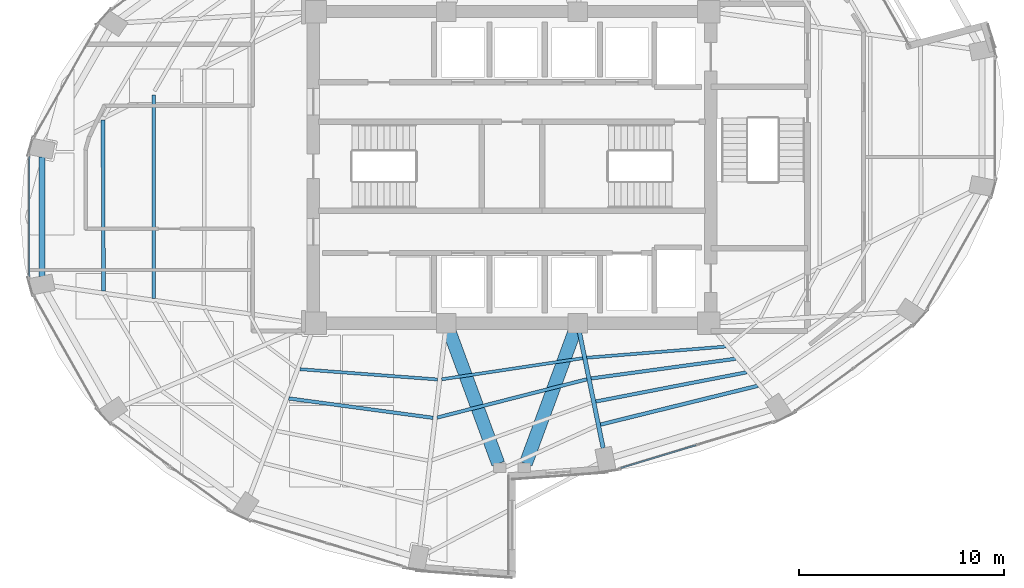
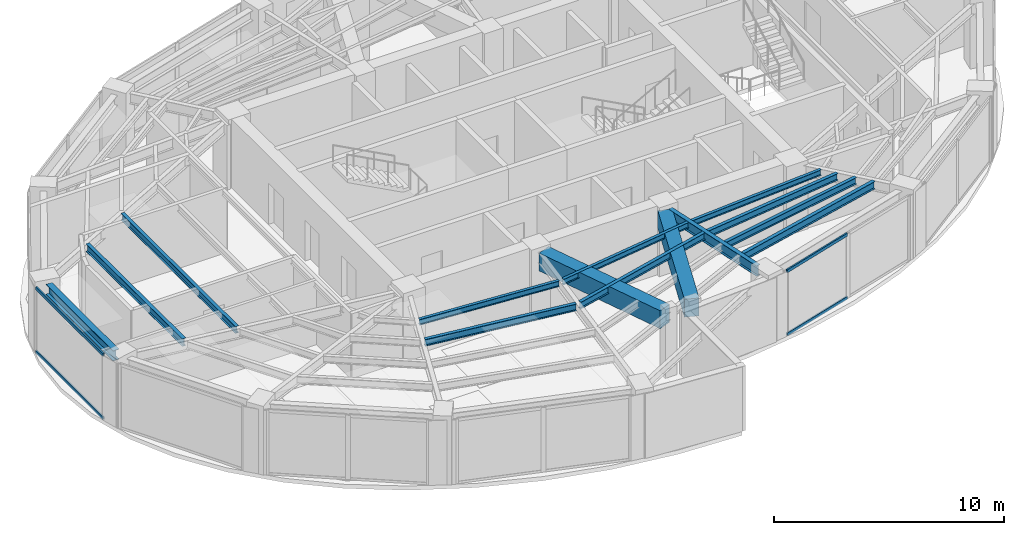
# One storey, part 5 of 19: 14 beams, 4 members, 2 elements without a shape of their own.
"""IFC4 building model written with IfcOpenShell, lengths in metres."""

from ifc_helpers import new_model, si_unit, direction, frame, origin, origin_2d, place, context, subcontext, project, spatial, rectangle, hollow_rectangle, i_section, extrude, material, layer, layer_set, material_profile, profile_set, type_object, element, aggregate, save


model = new_model("IFC4")

# Units and contexts
model_context = context("Model", 3, precision=1e-05, world=origin(), true_north=direction((0.0, 1.0)))
body_context = subcontext(model_context, "Body", "Model", "MODEL_VIEW")
ifc_project = project(units=[si_unit("LENGTHUNIT", "METRE"), si_unit("AREAUNIT", "SQUARE_METRE"), si_unit("VOLUMEUNIT", "CUBIC_METRE"), si_unit("PLANEANGLEUNIT", "RADIAN"), si_unit("MASSUNIT", "GRAM", prefix="KILO")], contexts=[model_context])

# Site, building, storey
site_placement = place(None, origin())
site = spatial("IfcSite", under=ifc_project, at=site_placement, CompositionType="ELEMENT")
building_placement = place(site_placement, origin())
building = spatial("IfcBuilding", under=site, at=building_placement, Name="Lazwardi Medical Tower", CompositionType="ELEMENT")
storey_placement = place(building_placement, frame((0.0, 0.0, 171.1201171875)))
storey = spatial("IfcBuildingStorey", under=building, at=storey_placement, Name="L44", CompositionType="ELEMENT", Elevation=171.1201171875)

# Beams
ifc_material_1 = material(Name="Concrete C60/75", Category="concrete")
ifc_material_profile_1 = material_profile(ifc_material_1, rectangle(XDim=0.64990234375, YDim=0.949951171875, at=origin_2d()), Name="RC 650x950")
ifc_profile_set_1 = profile_set([ifc_material_profile_1], Name="Concrete C60/75")
beam_type_1 = type_object("IfcBeamType", Name="BM-CB-RC2", PredefinedType="LINTEL", material=ifc_profile_set_1)
for number, where, z_axis, x_axis, name in (
    (1, (32.959228515625, 19.968505859375, 2.952880859375), (0.34601281054, -0.938229787921, 0.0), (0.938229787921, 0.34601281054, 0.0), "Core coupling lintel CB-02 PL3 L44"),
    (2, (39.040771484375, 19.968505859375, 2.952880859375), (-0.34601281054, -0.938229787921, 0.0), (0.938229787921, -0.34601281054, 0.0), "Core coupling lintel CB-02 PL4 L44"),
):
    element("IfcBeam", number, at=place(storey_placement, frame(where, z_axis=z_axis, x_axis=x_axis)), inside=storey, type_object=beam_type_1, Name=name, PredefinedType="LINTEL", context=body_context, shape_type="SweptSolid", body=[
        extrude(rectangle(XDim=0.64990234375, YDim=0.949951171875, at=origin_2d()), origin(), (0.0, 0.0, 1.0), 6.84423828125),
    ])
ifc_material_2 = material(Name="Steel S355", Category="steel")
ifc_material_profile_2 = material_profile(ifc_material_2, i_section(OverallWidth=0.300048828125, OverallDepth=0.550048828125, WebThickness=0.014892578125, FlangeThickness=0.029052734375, at=origin_2d()), Name="HEB 550")
ifc_profile_set_2 = profile_set([ifc_material_profile_2], Name="Steel S355")
beam_type_2 = type_object("IfcBeamType", Name="BM-RB-Z3", PredefinedType="BEAM", material=ifc_profile_set_2)
beam_1_placement = place(storey_placement, frame((13.07421875, 28.51171875, 3.15283203125), z_axis=(0.0, -1.0, 0.0), x_axis=(1.0, 0.0, 0.0)))
element("IfcBeam", 3, at=beam_1_placement, inside=storey, type_object=beam_type_2, Name="Ring beam RB-04 B12 L44", PredefinedType="BEAM", context=body_context, shape_type="SweptSolid", body=[
    extrude(i_section(OverallWidth=0.300048828125, OverallDepth=0.550048828125, WebThickness=0.014892578125, FlangeThickness=0.029052734375, at=origin_2d()), origin(), (0.0, 0.0, 1.0), 5.823486328125),
])
ifc_material_profile_3 = material_profile(ifc_material_2, i_section(OverallWidth=0.2099609375, OverallDepth=0.550048828125, WebThickness=0.010986328125, FlangeThickness=0.01708984375, at=origin_2d()), Name="IPE 550")
ifc_profile_set_3 = profile_set([ifc_material_profile_3], Name="Steel S355")
beam_type_3 = type_object("IfcBeamType", Name="BM-RG-W2", PredefinedType="BEAM", material=ifc_profile_set_3)
beam_2_placement = place(storey_placement, frame((40.447998046875, 14.2998046875, 3.15283203125), z_axis=(-0.200429485343, 0.979708130723, 0.0), x_axis=(-0.979708130723, -0.200429485343, 0.0)))
element("IfcBeam", 4, at=beam_2_placement, inside=storey, type_object=beam_type_3, Name="Radial girder RG-03 R01 L44", PredefinedType="BEAM", context=body_context, shape_type="SweptSolid", body=[
    extrude(i_section(OverallWidth=0.2099609375, OverallDepth=0.550048828125, WebThickness=0.010986328125, FlangeThickness=0.01708984375, at=origin_2d()), origin(), (0.0, 0.0, 1.0), 5.766357421875),
])
ifc_material_profile_4 = material_profile(ifc_material_2, i_section(OverallWidth=0.179931640625, OverallDepth=0.39990234375, WebThickness=0.008544921875, FlangeThickness=0.013427734375, at=origin_2d()), Name="IPE 400")
ifc_profile_set_4 = profile_set([ifc_material_profile_4], Name="Steel S355")
beam_type_4 = type_object("IfcBeamType", Name="BM-SJ-01", PredefinedType="JOIST", material=ifc_profile_set_4)
beam_3_placement = place(storey_placement, frame((40.31396484375, 15.45361328125, 3.227783203125), z_axis=(0.970912648168, 0.239433977597, 0.0), x_axis=(-0.239433977597, 0.970912648168, 0.0)))
element("IfcBeam", 5, at=beam_3_placement, inside=storey, type_object=beam_type_4, Name="Secondary joist SJ-01 R1 B01 L44", PredefinedType="JOIST", context=body_context, shape_type="SweptSolid", body=[
    extrude(i_section(OverallWidth=0.179931640625, OverallDepth=0.39990234375, WebThickness=0.008544921875, FlangeThickness=0.013427734375, at=origin_2d()), origin(), (0.0, 0.0, 1.0), 7.91162109375),
])
beam_4_placement = place(storey_placement, frame((16.04443359375, 30.30224609375, 3.227783203125), z_axis=(0.003864366017, -0.99999253331, 0.0), x_axis=(0.99999253331, 0.003864366017, 0.0)))
element("IfcBeam", 6, at=beam_4_placement, inside=storey, type_object=beam_type_4, Name="Secondary joist SJ-01 R1 B12 L44", PredefinedType="JOIST", context=body_context, shape_type="SweptSolid", body=[
    extrude(i_section(OverallWidth=0.179931640625, OverallDepth=0.39990234375, WebThickness=0.008544921875, FlangeThickness=0.013427734375, at=origin_2d()), origin(), (0.0, 0.0, 1.0), 8.33935546875),
])
ifc_material_profile_5 = material_profile(ifc_material_2, i_section(OverallWidth=0.169921875, OverallDepth=0.360107421875, WebThickness=0.008056640625, FlangeThickness=0.0126953125, at=origin_2d()), Name="IPE 360")
ifc_profile_set_5 = profile_set([ifc_material_profile_5], Name="Steel S355")
beam_type_5 = type_object("IfcBeamType", Name="BM-SJ-02", PredefinedType="JOIST", material=ifc_profile_set_5)
beam_5_placement = place(storey_placement, frame((40.083984375, 16.57861328125, 3.247802734375), z_axis=(0.981753035865, 0.190160396953, 0.0), x_axis=(-0.190160396953, 0.981753035865, 0.0)))
element("IfcBeam", 7, at=beam_5_placement, inside=storey, type_object=beam_type_5, Name="Secondary joist SJ-02 R2 B01 L44", PredefinedType="JOIST", context=body_context, shape_type="SweptSolid", body=[
    extrude(i_section(OverallWidth=0.169921875, OverallDepth=0.360107421875, WebThickness=0.008056640625, FlangeThickness=0.0126953125, at=origin_2d()), origin(), (0.0, 0.0, 1.0), 7.50927734375),
])
beam_6_placement = place(storey_placement, frame((18.513671875, 31.541748046875, 3.247802734375), z_axis=(0.001156040156, -0.999999331785, 0.0), x_axis=(0.999999331785, 0.001156040156, 0.0)))
element("IfcBeam", 8, at=beam_6_placement, inside=storey, type_object=beam_type_5, Name="Secondary joist SJ-02 R2 B12 L44", PredefinedType="JOIST", context=body_context, shape_type="SweptSolid", body=[
    extrude(i_section(OverallWidth=0.169921875, OverallDepth=0.360107421875, WebThickness=0.008056640625, FlangeThickness=0.0126953125, at=origin_2d()), origin(), (0.0, 0.0, 1.0), 9.92578125),
])
beam_7_placement = place(storey_placement, frame((39.853515625, 17.702880859375, 3.247802734375), z_axis=(0.990832043476, 0.135099450852, 0.0), x_axis=(-0.135099450852, 0.990832043476, 0.0)))
element("IfcBeam", 9, at=beam_7_placement, inside=storey, type_object=beam_type_5, Name="Secondary joist SJ-02 R3 B01 L44", PredefinedType="JOIST", context=body_context, shape_type="SweptSolid", body=[
    extrude(i_section(OverallWidth=0.169921875, OverallDepth=0.360107421875, WebThickness=0.008056640625, FlangeThickness=0.0126953125, at=origin_2d()), origin(), (0.0, 0.0, 1.0), 7.129150390625),
])
beam_8_placement = place(storey_placement, frame((25.110107421875, 16.730224609375, 3.247802734375), z_axis=(0.991056291961, -0.133444468468, 0.0), x_axis=(0.133444468468, 0.991056291961, 0.0)))
element("IfcBeam", 10, at=beam_8_placement, inside=storey, type_object=beam_type_5, Name="Secondary joist SJ-02 R3 B15 L44", PredefinedType="JOIST", context=body_context, shape_type="SweptSolid", body=[
    extrude(i_section(OverallWidth=0.169921875, OverallDepth=0.360107421875, WebThickness=0.008056640625, FlangeThickness=0.0126953125, at=origin_2d()), origin(), (0.0, 0.0, 1.0), 7.10400390625),
])
beam_9_placement = place(storey_placement, frame((32.3466796875, 15.793701171875, 3.247802734375), z_axis=(0.96877632572, 0.247936344097, 0.0), x_axis=(-0.247936344097, 0.96877632572, 0.0)))
element("IfcBeam", 11, at=beam_9_placement, inside=storey, type_object=beam_type_5, Name="Secondary joist SJ-02 R3 B16 L44", PredefinedType="JOIST", context=body_context, shape_type="SweptSolid", body=[
    extrude(i_section(OverallWidth=0.169921875, OverallDepth=0.360107421875, WebThickness=0.008056640625, FlangeThickness=0.0126953125, at=origin_2d()), origin(), (0.0, 0.0, 1.0), 7.546630859375),
])
ifc_material_profile_6 = material_profile(ifc_material_2, i_section(OverallWidth=0.14990234375, OverallDepth=0.300048828125, WebThickness=0.007080078125, FlangeThickness=0.0107421875, at=origin_2d()), Name="IPE 300")
ifc_profile_set_6 = profile_set([ifc_material_profile_6], Name="Steel S355")
beam_type_6 = type_object("IfcBeamType", Name="BM-SJ-03", PredefinedType="JOIST", material=ifc_profile_set_6)
beam_10_placement = place(storey_placement, frame((39.646240234375, 18.71435546875, 3.27783203125), z_axis=(0.996785792338, 0.08011294647, 0.0), x_axis=(-0.08011294647, 0.996785792338, 0.0)))
element("IfcBeam", 12, at=beam_10_placement, inside=storey, type_object=beam_type_6, Name="Secondary joist SJ-03 R4 B01 L44", PredefinedType="JOIST", context=body_context, shape_type="SweptSolid", body=[
    extrude(i_section(OverallWidth=0.14990234375, OverallDepth=0.300048828125, WebThickness=0.007080078125, FlangeThickness=0.0107421875, at=origin_2d()), origin(), (0.0, 0.0, 1.0), 6.80810546875),
])
beam_11_placement = place(storey_placement, frame((25.650390625, 18.156494140625, 3.27783203125), z_axis=(0.99722699261, -0.074419924822, 0.0), x_axis=(0.074419924822, 0.99722699261, 0.0)))
element("IfcBeam", 13, at=beam_11_placement, inside=storey, type_object=beam_type_6, Name="Secondary joist SJ-03 R4 B15 L44", PredefinedType="JOIST", context=body_context, shape_type="SweptSolid", body=[
    extrude(i_section(OverallWidth=0.14990234375, OverallDepth=0.300048828125, WebThickness=0.007080078125, FlangeThickness=0.0107421875, at=origin_2d()), origin(), (0.0, 0.0, 1.0), 6.74169921875),
])
beam_12_placement = place(storey_placement, frame((32.57177734375, 17.662109375, 3.27783203125), z_axis=(0.98897469849, 0.148084589835, 0.0), x_axis=(-0.148084589835, 0.98897469849, 0.0)))
element("IfcBeam", 14, at=beam_12_placement, inside=storey, type_object=beam_type_6, Name="Secondary joist SJ-03 R4 B16 L44", PredefinedType="JOIST", context=body_context, shape_type="SweptSolid", body=[
    extrude(i_section(OverallWidth=0.14990234375, OverallDepth=0.300048828125, WebThickness=0.007080078125, FlangeThickness=0.0107421875, at=origin_2d()), origin(), (0.0, 0.0, 1.0), 6.952392578125),
])

# Curtain wall, members
ifc_material_3 = material(Name="Anodised bronze aluminium and solar control glazing", Category="aluminium")
ifc_layer = layer(ifc_material_3, 0.195068359375)
ifc_layer_set = layer_set([ifc_layer], Name="Anodised bronze aluminium and solar control glazing")
curtain_wall_type = type_object("IfcCurtainWallType", Name="CW-SYS-03", PredefinedType="NOTDEFINED", material=ifc_layer_set)
curtain_wall_1_placement = place(storey_placement, origin())
curtain_wall_1 = element("IfcCurtainWall", 15, at=curtain_wall_1_placement, inside=storey, type_object=curtain_wall_type, Name="L44 Unitised bronze curtain wall CW-03", PredefinedType="NOTDEFINED")
ifc_material_4 = material(Name="Anodised bronze aluminium", Category="aluminium")
ifc_material_profile_7 = material_profile(ifc_material_4, hollow_rectangle(XDim=0.074951171875, YDim=0.159912109375, WallThickness=0.00390625, at=origin_2d()), Name="ALU-TRANSOM 160x75x4")
ifc_profile_set_7 = profile_set([ifc_material_profile_7], Name="Anodised bronze aluminium")
member_type = type_object("IfcMemberType", Name="CW-TRN-01", PredefinedType="USERDEFINED", material=ifc_profile_set_7)
member_1_placement = place(storey_placement, frame((41.307861328125, 13.336669921875, 0.037353515625), z_axis=(0.956935517424, 0.290300560612, 0.0), x_axis=(-0.290300560612, 0.956935517424, 0.0)))
member_1 = element("IfcMember", 16, at=member_1_placement, type_object=member_type, Name="CW-03 transom 1.1", ObjectType="TRANSOM", PredefinedType="USERDEFINED", context=body_context, shape_type="SweptSolid", body=[
    extrude(hollow_rectangle(XDim=0.074951171875, YDim=0.159912109375, WallThickness=0.00390625, at=origin_2d()), origin(), (0.0, 0.0, 1.0), 3.836669921875),
])
member_2_placement = place(storey_placement, frame((41.307861328125, 13.336669921875, 3.390380859375), z_axis=(0.956935517424, 0.290300560612, 0.0), x_axis=(-0.290300560612, 0.956935517424, 0.0)))
member_2 = element("IfcMember", 17, at=member_2_placement, type_object=member_type, Name="CW-03 transom 1.2", ObjectType="TRANSOM", PredefinedType="USERDEFINED", context=body_context, shape_type="SweptSolid", body=[
    extrude(hollow_rectangle(XDim=0.074951171875, YDim=0.159912109375, WallThickness=0.00390625, at=origin_2d()), origin(), (0.0, 0.0, 1.0), 3.836669921875),
])
aggregate(curtain_wall_1, [member_1, member_2])

curtain_wall_2_placement = place(storey_placement, origin())
curtain_wall_2 = element("IfcCurtainWall", 18, at=curtain_wall_2_placement, inside=storey, type_object=curtain_wall_type, Name="L44 Unitised bronze curtain wall CW-03", PredefinedType="NOTDEFINED")
member_3_placement = place(storey_placement, frame((12.4423828125, 28.5205078125, 0.037353515625), z_axis=(0.0, -1.0, 0.0), x_axis=(1.0, 0.0, 0.0)))
member_3 = element("IfcMember", 19, at=member_3_placement, type_object=member_type, Name="CW-03 transom 1.1", ObjectType="TRANSOM", PredefinedType="USERDEFINED", context=body_context, shape_type="SweptSolid", body=[
    extrude(hollow_rectangle(XDim=0.074951171875, YDim=0.159912109375, WallThickness=0.00390625, at=origin_2d()), origin(), (0.0, 0.0, 1.0), 5.8408203125),
])
member_4_placement = place(storey_placement, frame((12.4423828125, 28.5205078125, 3.390380859375), z_axis=(0.0, -1.0, 0.0), x_axis=(1.0, 0.0, 0.0)))
member_4 = element("IfcMember", 20, at=member_4_placement, type_object=member_type, Name="CW-03 transom 1.2", ObjectType="TRANSOM", PredefinedType="USERDEFINED", context=body_context, shape_type="SweptSolid", body=[
    extrude(hollow_rectangle(XDim=0.074951171875, YDim=0.159912109375, WallThickness=0.00390625, at=origin_2d()), origin(), (0.0, 0.0, 1.0), 5.8408203125),
])
aggregate(curtain_wall_2, [member_3, member_4])

save(model, "model.ifc")
